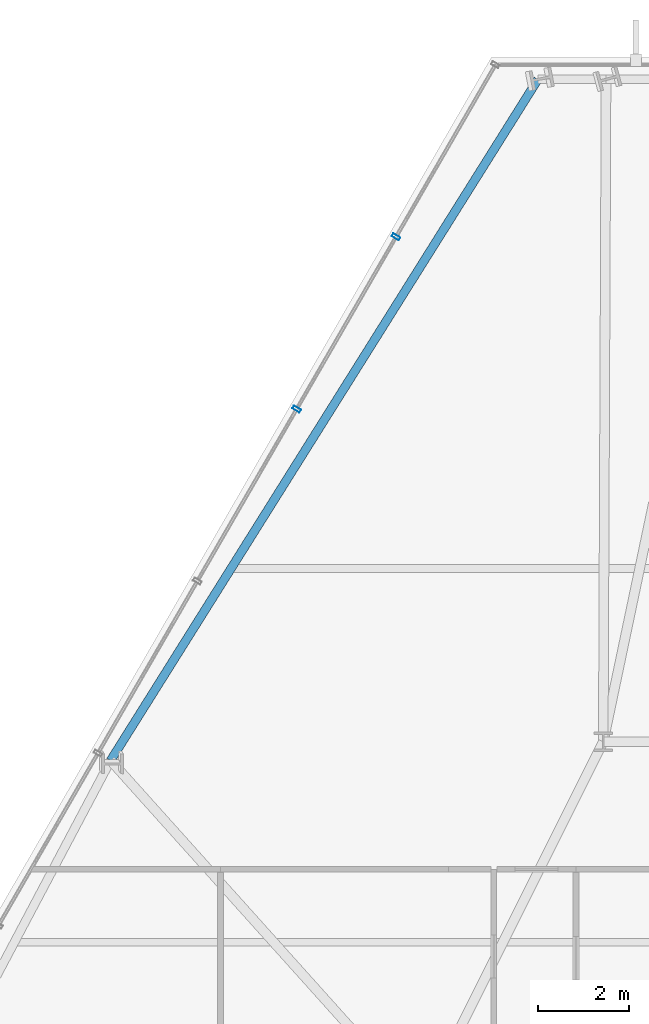
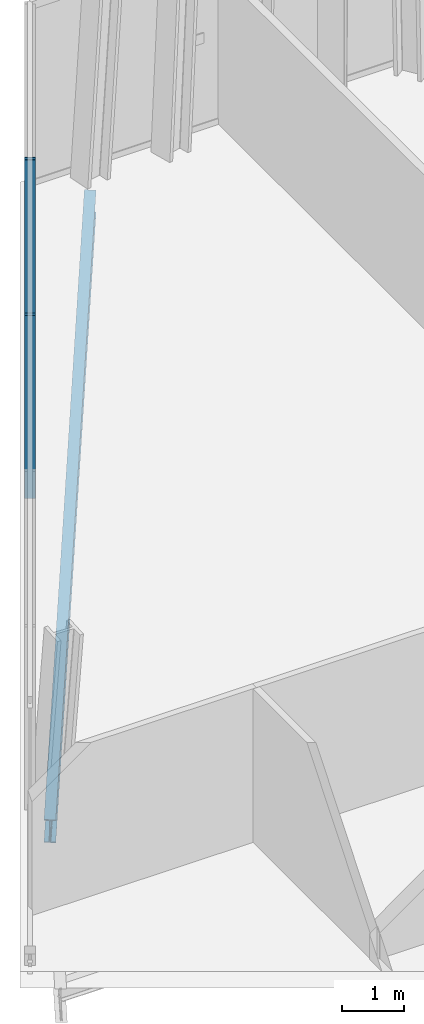
# One storey, part 20 of 32: 2 members, 1 beam, 1 element without a shape of its own.
"""IFC4 building model written with IfcOpenShell, lengths in metres."""

from ifc_helpers import new_model, si_unit, direction, frame, origin, origin_2d, place, context, subcontext, project, spatial, hollow_rectangle, i_section, extrude, material, layer, layer_set, material_profile, profile_set, type_object, element, aggregate, save


model = new_model("IFC4")

# Units and contexts
model_context = context("Model", 3, precision=1e-05, world=origin(), true_north=direction((0.0, 1.0)))
body_context = subcontext(model_context, "Body", "Model", "MODEL_VIEW")
ifc_project = project(units=[si_unit("LENGTHUNIT", "METRE"), si_unit("AREAUNIT", "SQUARE_METRE"), si_unit("VOLUMEUNIT", "CUBIC_METRE"), si_unit("PLANEANGLEUNIT", "RADIAN"), si_unit("MASSUNIT", "GRAM", prefix="KILO")], contexts=[model_context])

# Site, building, storey
site_placement = place(None, origin())
site = spatial("IfcSite", under=ifc_project, at=site_placement, CompositionType="ELEMENT")
building_placement = place(site_placement, origin())
building = spatial("IfcBuilding", under=site, at=building_placement, Name="Ndaravel Arena Tower", CompositionType="ELEMENT")
storey_placement = place(building_placement, frame((0.0, 0.0, 134.60009765625)))
storey = spatial("IfcBuildingStorey", under=building, at=storey_placement, Name="L31", CompositionType="ELEMENT", Elevation=134.60009765625)

# Beam
ifc_material_1 = material(Name="Steel S355", Category="steel")
ifc_material_profile_1 = material_profile(ifc_material_1, i_section(OverallWidth=0.18994140625, OverallDepth=0.449951171875, WebThickness=0.009521484375, FlangeThickness=0.0146484375, FilletRadius=0.02099609375, at=origin_2d()), Name="IPE 450")
ifc_profile_set_1 = profile_set([ifc_material_profile_1], Name="Steel S355")
beam_type = type_object("IfcBeamType", Name="BM-SPAN-IPE450", PredefinedType="SPANDREL", material=ifc_profile_set_1)
beam_placement = place(storey_placement, frame((36.765625, 45.736083984375, -0.445068359375), z_axis=(-0.531434619656, -0.847099312378, 0.0), x_axis=(0.847099312378, -0.531434619656, 0.0)))
element("IfcBeam", 1, at=beam_placement, inside=storey, type_object=beam_type, Name="L31 Perimeter Spandrel Beam SP-18", PredefinedType="SPANDREL", context=body_context, shape_type="SweptSolid", body=[
    extrude(i_section(OverallWidth=0.18994140625, OverallDepth=0.449951171875, WebThickness=0.009521484375, FlangeThickness=0.0146484375, FilletRadius=0.02099609375, at=origin_2d()), origin(), (0.0, 0.0, 1.0), 17.6455078125),
])

# Curtain wall, members
ifc_material_2 = material(Name="Aluminium", Category="aluminium")
ifc_layer = layer(ifc_material_2, 0.179931640625)
ifc_layer_set = layer_set([ifc_layer], Name="Aluminium")
curtain_wall_type = type_object("IfcCurtainWallType", Name="CW-SYS-03", PredefinedType="NOTDEFINED", material=ifc_layer_set)
curtain_wall_placement = place(storey_placement, origin())
curtain_wall = element("IfcCurtainWall", 2, at=curtain_wall_placement, inside=storey, type_object=curtain_wall_type, Name="L31 Faceted Crystal Curtain Wall CW-L31-E05", PredefinedType="NOTDEFINED")
ifc_material_3 = material(Name="Aluminium", Category="aluminium")
ifc_material_profile_2 = material_profile(ifc_material_3, hollow_rectangle(XDim=0.074951171875, YDim=0.179931640625, WallThickness=0.00390625, at=origin_2d()), Name="CW MULLION 75x180x4")
ifc_profile_set_2 = profile_set([ifc_material_profile_2], Name="Aluminium")
member_type = type_object("IfcMemberType", Name="MEM-CW-MUL180", PredefinedType="MULLION", material=ifc_profile_set_2)
member_1_placement = place(storey_placement, frame((33.652587890625, 42.279296875, 0.0), z_axis=(0.0, 0.0, 1.0), x_axis=(-0.5, -0.866025403784, 0.0)))
member_1 = element("IfcMember", 3, at=member_1_placement, type_object=member_type, Name="CW-L31-E05 Mullion 01", PredefinedType="MULLION", context=body_context, shape_type="SweptSolid", body=[
    extrude(hollow_rectangle(XDim=0.074951171875, YDim=0.179931640625, WallThickness=0.00390625, at=origin_2d()), origin(), (0.0, 0.0, 1.0), 3.579833984375),
])
member_2_placement = place(storey_placement, frame((31.47216796875, 38.502197265625, 0.0), z_axis=(0.0, 0.0, 1.0), x_axis=(-0.5, -0.866025403784, 0.0)))
member_2 = element("IfcMember", 4, at=member_2_placement, type_object=member_type, Name="CW-L31-E05 Mullion 02", PredefinedType="MULLION", context=body_context, shape_type="SweptSolid", body=[
    extrude(hollow_rectangle(XDim=0.074951171875, YDim=0.179931640625, WallThickness=0.00390625, at=origin_2d()), origin(), (0.0, 0.0, 1.0), 3.579833984375),
])
aggregate(curtain_wall, [member_1, member_2])

save(model, "model.ifc")
